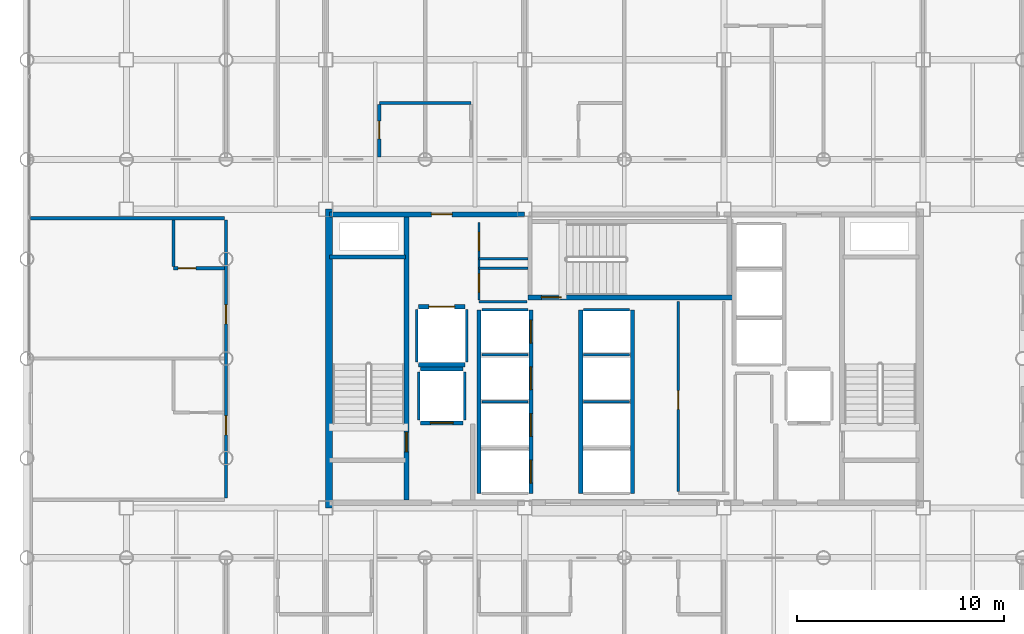
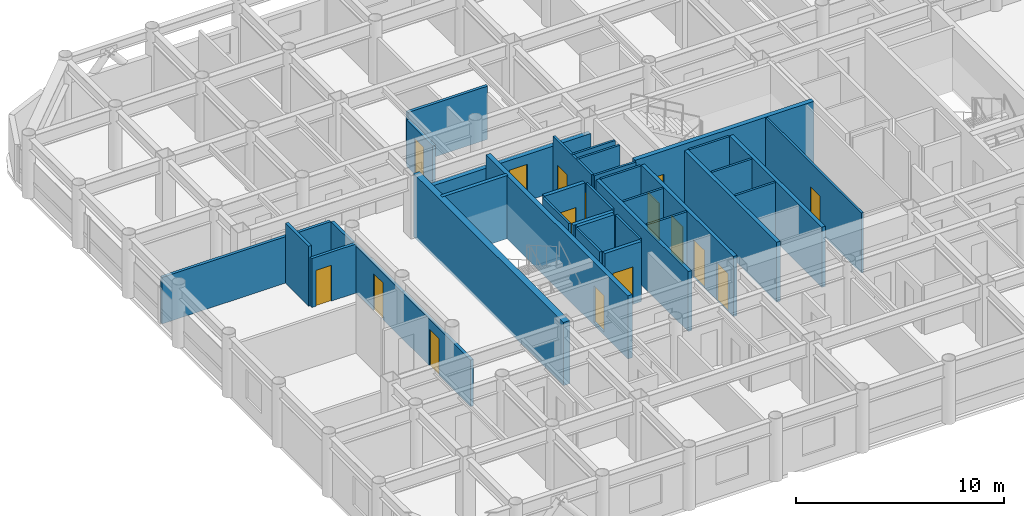
# One storey, part 18 of 22: 34 walls, 16 doors, 16 openings.
"""IFC4 building model written with IfcOpenShell, lengths in metres."""

from ifc_helpers import new_model, si_unit, direction, frame, frame_2d, origin, place, context, subcontext, project, spatial, rectangle, extrude, material, layer, layer_set, type_object, element, fill, save


model = new_model("IFC4")

# Units and contexts
model_context = context("Model", 3, precision=1e-05, world=origin(), true_north=direction((0.0, 1.0)))
body_context = subcontext(model_context, "Body", "Model", "MODEL_VIEW")
ifc_project = project(units=[si_unit("LENGTHUNIT", "METRE"), si_unit("AREAUNIT", "SQUARE_METRE"), si_unit("VOLUMEUNIT", "CUBIC_METRE"), si_unit("PLANEANGLEUNIT", "RADIAN"), si_unit("MASSUNIT", "GRAM", prefix="KILO")], contexts=[model_context])

# Site, building, storey
site_placement = place(None, origin())
site = spatial("IfcSite", under=ifc_project, at=site_placement, CompositionType="ELEMENT")
building_placement = place(site_placement, origin())
building = spatial("IfcBuilding", under=site, at=building_placement, Name="Kallvorn Hotel Tower", CompositionType="ELEMENT")
storey_placement = place(building_placement, frame((0.0, 0.0, 110.0)))
storey = spatial("IfcBuildingStorey", under=building, at=storey_placement, Name="L26", CompositionType="ELEMENT", Elevation=110.0)

# Wall
ifc_material_1 = material(Name="Concrete C50/60", Category="concrete")
ifc_layer_1 = layer(ifc_material_1, 0.35009765625)
ifc_layer_set_1 = layer_set([ifc_layer_1], Name="WL_CORE_350")
wall_type_1 = type_object("IfcWallType", Name="WL_CORE_350", PredefinedType="SHEAR", material=ifc_layer_set_1)
wall_1_placement = place(storey_placement, frame((-14.239990234375, -7.199951171875, -0.179931640625), z_axis=(0.0, 0.0, 1.0), x_axis=(0.0, 1.0, 0.0)))
element("IfcWall", 1, at=wall_1_placement, inside=storey, type_object=wall_type_1, Name="L26 Core West Shear Wall", PredefinedType="SHEAR", context=body_context, shape_type="SweptSolid", body=[
    extrude(rectangle(XDim=14.39990234375, YDim=0.35009765625, at=frame_2d((7.199951171875, 0.0))), origin(), (0.0, 0.0, 1.0), 3.699951171875),
])

# Wall, opening, door
ifc_material_2 = material(Name="Fire-rated double-layer acoustic gypsum drywall EI 60")
ifc_layer_2 = layer(ifc_material_2, 0.159912109375)
ifc_layer_set_2 = layer_set([ifc_layer_2], Name="WL_DEMISE_160")
wall_type_2 = type_object("IfcWallType", Name="WL_DEMISE_160", PredefinedType="PARTITIONING", material=ifc_layer_set_2)
wall_2_placement = place(storey_placement, frame((-21.72998046875, 4.35009765625, 0.0), z_axis=(0.0, 0.0, 1.0), x_axis=(1.0, 0.0, 0.0)))
wall_2 = element("IfcWall", 2, at=wall_2_placement, inside=storey, type_object=wall_type_2, Name="L26 Suite 2602 W Andean Twin Room Partition", PredefinedType="PARTITIONING", context=body_context, shape_type="SweptSolid", body=[
    extrude(rectangle(XDim=2.449951171875, YDim=0.159912109375, at=frame_2d((1.22509765625, 0.0))), origin(), (0.0, 0.0, 1.0), 2.8701171875),
])
opening_1_placement = place(wall_2_placement, frame((0.219970703125, 0.0, 0.0)))
opening_1 = element("IfcOpeningElement", 3, at=opening_1_placement, cuts=wall_2, Name="Opening BD-I", PredefinedType="OPENING", context=body_context, shape_type="SweptSolid", body=[
    extrude(rectangle(XDim=0.860107421875, YDim=2.10009765625, at=frame_2d((0.43017578125, 1.050048828125))), frame((0.0, 0.094970703125, 0.0), z_axis=(0.0, -1.0, 0.0), x_axis=(1.0, 0.0, 0.0)), (0.0, 0.0, 1.0), 0.18994140625),
])
ifc_material_3 = material(Name="Solid-core walnut veneer fire-rated timber door leaf", Category="wood")
door_type_1 = type_object("IfcDoorType", Name="DR_BATH_860x2100", OperationType="NOTDEFINED", PredefinedType="DOOR", material=ifc_material_3)
door_1_placement = place(opening_1_placement, origin())
door_1 = element("IfcDoor", 4, at=door_1_placement, inside=storey, type_object=door_type_1, Name="L26 Suite 2602 En-Suite Bathroom Door", OperationType="SINGLE_SWING_LEFT", OverallHeight=2.10009765625, OverallWidth=0.860107421875, PredefinedType="DOOR", context=body_context, shape_type="SweptSolid", body=[
    extrude(rectangle(XDim=0.860107421875, YDim=2.10009765625, at=frame_2d((0.43017578125, 1.050048828125))), frame((0.0, 0.02490234375, 0.0), z_axis=(0.0, -1.0, 0.0), x_axis=(1.0, 0.0, 0.0)), (0.0, 0.0, 1.0), 0.050048828125),
])
fill(opening_1, door_1)

# Walls
wall_3_placement = place(storey_placement, frame((-28.6298828125, 6.75830078125, 0.0), z_axis=(0.0, 0.0, 1.0), x_axis=(1.0, 0.0, 0.0)))
element("IfcWall", 5, at=wall_3_placement, inside=storey, type_object=wall_type_2, Name="L26 Suite 2602 W Andean Twin Room Partition", PredefinedType="PARTITIONING", context=body_context, shape_type="SweptSolid", body=[
    extrude(rectangle(XDim=9.349853515625, YDim=0.159912109375, at=frame_2d((4.6748046875, 0.0))), origin(), (0.0, 0.0, 1.0), 2.719970703125),
])
wall_4_placement = place(storey_placement, frame((-11.81005859375, 12.320068359375, 0.0), z_axis=(0.0, 0.0, 1.0), x_axis=(1.0, 0.0, 0.0)))
element("IfcWall", 6, at=wall_4_placement, inside=storey, type_object=wall_type_2, Name="L26 Suite 2611 Standard Twin Room Partition", PredefinedType="PARTITIONING", context=body_context, shape_type="SweptSolid", body=[
    extrude(rectangle(XDim=4.420166015625, YDim=0.159912109375, at=frame_2d((2.2099609375, 0.0))), origin(), (0.0, 0.0, 1.0), 3.1201171875),
])
wall_5_placement = place(storey_placement, frame((-21.72998046875, 4.43505859375, 0.0), z_axis=(0.0, 0.0, 1.0), x_axis=(0.0, 1.0, 0.0)))
element("IfcWall", 7, at=wall_5_placement, inside=storey, type_object=wall_type_2, Name="L26 Suite 2602 W Andean Twin Room Partition", PredefinedType="PARTITIONING", context=body_context, shape_type="SweptSolid", body=[
    extrude(rectangle(XDim=2.23828125, YDim=0.159912109375, at=frame_2d((1.119140625, 0.0))), origin(), (0.0, 0.0, 1.0), 3.52001953125),
])

# Wall, openings, doors
wall_6_placement = place(storey_placement, frame((-19.199951171875, -6.715087890625, 0.0), z_axis=(0.0, 0.0, 1.0), x_axis=(0.0, 1.0, 0.0)))
wall_6 = element("IfcWall", 8, at=wall_6_placement, inside=storey, type_object=wall_type_2, Name="L26 Suite 2601 W Loggia King Room Partition", PredefinedType="PARTITIONING", context=body_context, shape_type="SweptSolid", body=[
    extrude(rectangle(XDim=13.388427734375, YDim=0.159912109375, at=frame_2d((6.6943359375, 0.0))), origin(), (0.0, 0.0, 1.0), 2.719970703125),
])
opening_2_placement = place(wall_6_placement, frame((3.034912109375, 0.0, 0.0)))
opening_2 = element("IfcOpeningElement", 9, at=opening_2_placement, cuts=wall_6, Name="Opening GD1", PredefinedType="OPENING", context=body_context, shape_type="SweptSolid", body=[
    extrude(rectangle(XDim=0.919921875, YDim=2.14990234375, at=frame_2d((0.4599609375, 1.074951171875))), frame((0.0, 0.094970703125, 0.0), z_axis=(0.0, -1.0, 0.0), x_axis=(1.0, 0.0, 0.0)), (0.0, 0.0, 1.0), 0.18994140625),
])
opening_3_placement = place(wall_6_placement, frame((8.385009765625, 0.0, 0.0)))
opening_3 = element("IfcOpeningElement", 10, at=opening_3_placement, cuts=wall_6, Name="Opening GD1", PredefinedType="OPENING", context=body_context, shape_type="SweptSolid", body=[
    extrude(rectangle(XDim=0.919921875, YDim=2.14990234375, at=frame_2d((0.4599609375, 1.074951171875))), frame((0.0, 0.094970703125, 0.0), z_axis=(0.0, -1.0, 0.0), x_axis=(1.0, 0.0, 0.0)), (0.0, 0.0, 1.0), 0.18994140625),
])
ifc_material_4 = material(Name="Solid-core walnut veneer fire-rated timber door leaf", Category="wood")
door_type_2 = type_object("IfcDoorType", Name="DR_GUEST_920x2150", OperationType="NOTDEFINED", PredefinedType="DOOR", material=ifc_material_4)
door_2_placement = place(opening_2_placement, origin())
door_2 = element("IfcDoor", 11, at=door_2_placement, inside=storey, type_object=door_type_2, Name="L26 Suite 2601 W Loggia King Room Door", OperationType="SINGLE_SWING_RIGHT", OverallHeight=2.14990234375, OverallWidth=0.919921875, PredefinedType="DOOR", context=body_context, shape_type="SweptSolid", body=[
    extrude(rectangle(XDim=0.919921875, YDim=2.14990234375, at=frame_2d((0.4599609375, 1.074951171875))), frame((0.0, 0.02490234375, 0.0), z_axis=(0.0, -1.0, 0.0), x_axis=(1.0, 0.0, 0.0)), (0.0, 0.0, 1.0), 0.050048828125),
])
fill(opening_2, door_2)
door_3_placement = place(opening_3_placement, origin())
door_3 = element("IfcDoor", 12, at=door_3_placement, inside=storey, type_object=door_type_2, Name="L26 Suite 2602 W Andean Twin Room Door", OperationType="SINGLE_SWING_LEFT", OverallHeight=2.14990234375, OverallWidth=0.919921875, PredefinedType="DOOR", context=body_context, shape_type="SweptSolid", body=[
    extrude(rectangle(XDim=0.919921875, YDim=2.14990234375, at=frame_2d((0.4599609375, 1.074951171875))), frame((0.0, 0.02490234375, 0.0), z_axis=(0.0, -1.0, 0.0), x_axis=(1.0, 0.0, 0.0)), (0.0, 0.0, 1.0), 0.050048828125),
])
fill(opening_3, door_3)

# Wall, opening, door
wall_7_placement = place(storey_placement, frame((-11.81005859375, 9.719970703125, 0.0), z_axis=(0.0, 0.0, 1.0), x_axis=(0.0, 1.0, 0.0)))
wall_7 = element("IfcWall", 13, at=wall_7_placement, inside=storey, type_object=wall_type_2, Name="L26 Suite 2611 Standard Twin Room Partition", PredefinedType="PARTITIONING", context=body_context, shape_type="SweptSolid", body=[
    extrude(rectangle(XDim=2.51513671875, YDim=0.159912109375, at=frame_2d((1.257568359375, 0.0))), origin(), (0.0, 0.0, 1.0), 2.719970703125),
])
opening_4_placement = place(wall_7_placement, frame((0.8701171875, 0.0, 0.0)))
opening_4 = element("IfcOpeningElement", 14, at=opening_4_placement, cuts=wall_7, Name="Opening BD-I", PredefinedType="OPENING", context=body_context, shape_type="SweptSolid", body=[
    extrude(rectangle(XDim=0.860107421875, YDim=2.10009765625, at=frame_2d((0.43017578125, 1.050048828125))), frame((0.0, 0.094970703125, 0.0), z_axis=(0.0, -1.0, 0.0), x_axis=(1.0, 0.0, 0.0)), (0.0, 0.0, 1.0), 0.18994140625),
])
door_4_placement = place(opening_4_placement, origin())
door_4 = element("IfcDoor", 15, at=door_4_placement, inside=storey, type_object=door_type_1, Name="L26 Suite 2611 En-Suite Bathroom Door", OperationType="SINGLE_SWING_RIGHT", OverallHeight=2.10009765625, OverallWidth=0.860107421875, PredefinedType="DOOR", context=body_context, shape_type="SweptSolid", body=[
    extrude(rectangle(XDim=0.860107421875, YDim=2.10009765625, at=frame_2d((0.43017578125, 1.050048828125))), frame((0.0, 0.02490234375, 0.0), z_axis=(0.0, -1.0, 0.0), x_axis=(1.0, 0.0, 0.0)), (0.0, 0.0, 1.0), 0.050048828125),
])
fill(opening_4, door_4)

# Wall
ifc_material_5 = material(Name="Concrete C40/50", Category="concrete")
ifc_layer_3 = layer(ifc_material_5, 0.199951171875)
ifc_layer_set_3 = layer_set([ifc_layer_3], Name="WL_HOIST_200")
wall_type_3 = type_object("IfcWallType", Name="WL_HOIST_200", PredefinedType="SOLIDWALL", material=ifc_layer_set_3)
wall_8_placement = place(storey_placement, frame((-14.199951171875, 4.89990234375, -0.179931640625), z_axis=(0.0, 0.0, 1.0), x_axis=(1.0, 0.0, 0.0)))
element("IfcWall", 16, at=wall_8_placement, inside=storey, type_object=wall_type_3, Name="L26 Stair ST1 North Wall", PredefinedType="SOLIDWALL", context=body_context, shape_type="SweptSolid", body=[
    extrude(rectangle(XDim=3.64990234375, YDim=0.199951171875, at=frame_2d((1.824951171875, 0.0))), origin(), (0.0, 0.0, 1.0), 3.699951171875),
])

# Wall, openings, doors
wall_9_placement = place(storey_placement, frame((-4.5, -6.5, 0.0), z_axis=(0.0, 0.0, 1.0), x_axis=(0.0, 1.0, 0.0)))
wall_9 = element("IfcWall", 17, at=wall_9_placement, inside=storey, type_object=wall_type_3, Name="L26 Lift Bank B1 Landing Wall", PredefinedType="SOLIDWALL", context=body_context, shape_type="SweptSolid", body=[
    extrude(rectangle(XDim=8.85009765625, YDim=0.199951171875, at=frame_2d((4.425048828125, 0.0))), origin(), (0.0, 0.0, 1.0), 3.52001953125),
])
opening_5_placement = place(wall_9_placement, frame((0.5, 0.0, 0.0)))
opening_5 = element("IfcOpeningElement", 18, at=opening_5_placement, cuts=wall_9, Name="Opening LD-PL-01", PredefinedType="OPENING", context=body_context, shape_type="SweptSolid", body=[
    extrude(rectangle(XDim=1.10009765625, YDim=2.199951171875, at=frame_2d((0.550048828125, 1.10009765625))), frame((0.0, 0.114990234375, 0.0), z_axis=(0.0, -1.0, 0.0), x_axis=(1.0, 0.0, 0.0)), (0.0, 0.0, 1.0), 0.22998046875),
])
opening_6_placement = place(wall_9_placement, frame((2.75, 0.0, 0.0)))
opening_6 = element("IfcOpeningElement", 19, at=opening_6_placement, cuts=wall_9, Name="Opening LD-PL-02", PredefinedType="OPENING", context=body_context, shape_type="SweptSolid", body=[
    extrude(rectangle(XDim=1.10009765625, YDim=2.199951171875, at=frame_2d((0.550048828125, 1.10009765625))), frame((0.0, 0.114990234375, 0.0), z_axis=(0.0, -1.0, 0.0), x_axis=(1.0, 0.0, 0.0)), (0.0, 0.0, 1.0), 0.22998046875),
])
opening_7_placement = place(wall_9_placement, frame((5.0, 0.0, 0.0)))
opening_7 = element("IfcOpeningElement", 20, at=opening_7_placement, cuts=wall_9, Name="Opening LD-PL-03", PredefinedType="OPENING", context=body_context, shape_type="SweptSolid", body=[
    extrude(rectangle(XDim=1.10009765625, YDim=2.199951171875, at=frame_2d((0.550048828125, 1.10009765625))), frame((0.0, 0.114990234375, 0.0), z_axis=(0.0, -1.0, 0.0), x_axis=(1.0, 0.0, 0.0)), (0.0, 0.0, 1.0), 0.22998046875),
])
opening_8_placement = place(wall_9_placement, frame((7.25, 0.0, 0.0)))
opening_8 = element("IfcOpeningElement", 21, at=opening_8_placement, cuts=wall_9, Name="Opening LD-PL-04", PredefinedType="OPENING", context=body_context, shape_type="SweptSolid", body=[
    extrude(rectangle(XDim=1.10009765625, YDim=2.199951171875, at=frame_2d((0.550048828125, 1.10009765625))), frame((0.0, 0.114990234375, 0.0), z_axis=(0.0, -1.0, 0.0), x_axis=(1.0, 0.0, 0.0)), (0.0, 0.0, 1.0), 0.22998046875),
])
ifc_material_6 = material(Name="Brushed stainless-steel automatic sliding lift landing door", Category="steel")
door_type_3 = type_object("IfcDoorType", Name="LD_PASS_1100x2200", OperationType="SLIDING_TO_LEFT", PredefinedType="DOOR", material=ifc_material_6)
door_5_placement = place(opening_5_placement, origin())
door_5 = element("IfcDoor", 22, at=door_5_placement, inside=storey, type_object=door_type_3, Name="L26 Lift Landing Sliding Door LD-PL-01", OperationType="SLIDING_TO_LEFT", OverallHeight=2.199951171875, OverallWidth=1.10009765625, PredefinedType="DOOR", context=body_context, shape_type="SweptSolid", body=[
    extrude(rectangle(XDim=1.10009765625, YDim=2.199951171875, at=frame_2d((0.550048828125, 1.10009765625))), frame((0.0, 0.02490234375, 0.0), z_axis=(0.0, -1.0, 0.0), x_axis=(1.0, 0.0, 0.0)), (0.0, 0.0, 1.0), 0.050048828125),
])
fill(opening_5, door_5)
door_6_placement = place(opening_6_placement, origin())
door_6 = element("IfcDoor", 23, at=door_6_placement, inside=storey, type_object=door_type_3, Name="L26 Lift Landing Sliding Door LD-PL-02", OperationType="SLIDING_TO_LEFT", OverallHeight=2.199951171875, OverallWidth=1.10009765625, PredefinedType="DOOR", context=body_context, shape_type="SweptSolid", body=[
    extrude(rectangle(XDim=1.10009765625, YDim=2.199951171875, at=frame_2d((0.550048828125, 1.10009765625))), frame((0.0, 0.02490234375, 0.0), z_axis=(0.0, -1.0, 0.0), x_axis=(1.0, 0.0, 0.0)), (0.0, 0.0, 1.0), 0.050048828125),
])
fill(opening_6, door_6)
door_7_placement = place(opening_7_placement, origin())
door_7 = element("IfcDoor", 24, at=door_7_placement, inside=storey, type_object=door_type_3, Name="L26 Lift Landing Sliding Door LD-PL-03", OperationType="SLIDING_TO_LEFT", OverallHeight=2.199951171875, OverallWidth=1.10009765625, PredefinedType="DOOR", context=body_context, shape_type="SweptSolid", body=[
    extrude(rectangle(XDim=1.10009765625, YDim=2.199951171875, at=frame_2d((0.550048828125, 1.10009765625))), frame((0.0, 0.02490234375, 0.0), z_axis=(0.0, -1.0, 0.0), x_axis=(1.0, 0.0, 0.0)), (0.0, 0.0, 1.0), 0.050048828125),
])
fill(opening_7, door_7)
door_8_placement = place(opening_8_placement, origin())
door_8 = element("IfcDoor", 25, at=door_8_placement, inside=storey, type_object=door_type_3, Name="L26 Lift Landing Sliding Door LD-PL-04", OperationType="SLIDING_TO_LEFT", OverallHeight=2.199951171875, OverallWidth=1.10009765625, PredefinedType="DOOR", context=body_context, shape_type="SweptSolid", body=[
    extrude(rectangle(XDim=1.10009765625, YDim=2.199951171875, at=frame_2d((0.550048828125, 1.10009765625))), frame((0.0, 0.02490234375, 0.0), z_axis=(0.0, -1.0, 0.0), x_axis=(1.0, 0.0, 0.0)), (0.0, 0.0, 1.0), 0.050048828125),
])
fill(opening_8, door_8)

# Walls
for number, where, z_axis, x_axis, name in (
    (26, (-7.0, -6.5, 0.0), (0.0, 0.0, 1.0), (0.0, 1.0, 0.0), "L26 Lift Bank B1 Rear Shaft Wall"),
    (27, (-2.10009765625, -6.5, 0.0), (0.0, 0.0, 1.0), (0.0, 1.0, 0.0), "L26 Lift Bank B2 Landing Wall"),
    (28, (0.39990234375, -6.5, 0.0), (0.0, 0.0, 1.0), (0.0, 1.0, 0.0), "L26 Lift Bank B2 Rear Shaft Wall"),
):
    element("IfcWall", number, at=place(storey_placement, frame(where, z_axis=z_axis, x_axis=x_axis)), inside=storey, type_object=wall_type_3, Name=name, PredefinedType="SOLIDWALL", context=body_context, shape_type="SweptSolid", body=[
        extrude(rectangle(XDim=8.85009765625, YDim=0.199951171875, at=frame_2d((4.425048828125, 0.0))), origin(), (0.0, 0.0, 1.0), 3.52001953125),
    ])

# Wall, opening, door
wall_10_placement = place(storey_placement, frame((-9.820068359375, -3.10009765625, 0.0), z_axis=(0.0, 0.0, 1.0), x_axis=(1.0, 0.0, 0.0)))
wall_10 = element("IfcWall", 29, at=wall_10_placement, inside=storey, type_object=wall_type_3, Name="L26 FL-1 Landing Wall", PredefinedType="SOLIDWALL", context=body_context, shape_type="SweptSolid", body=[
    extrude(rectangle(XDim=2.0400390625, YDim=0.199951171875, at=frame_2d((1.02001953125, 0.0))), origin(), (0.0, 0.0, 1.0), 3.52001953125),
])
opening_9_placement = place(wall_10_placement, frame((0.469970703125, 0.0, 0.0)))
opening_9 = element("IfcOpeningElement", 30, at=opening_9_placement, cuts=wall_10, Name="Opening LD-FL-1", PredefinedType="OPENING", context=body_context, shape_type="SweptSolid", body=[
    extrude(rectangle(XDim=1.10009765625, YDim=2.199951171875, at=frame_2d((0.550048828125, 1.10009765625))), frame((0.0, 0.114990234375, 0.0), z_axis=(0.0, -1.0, 0.0), x_axis=(1.0, 0.0, 0.0)), (0.0, 0.0, 1.0), 0.22998046875),
])
door_9_placement = place(opening_9_placement, origin())
door_9 = element("IfcDoor", 31, at=door_9_placement, inside=storey, type_object=door_type_3, Name="L26 Lift Landing Sliding Door LD-FL-1", OperationType="SLIDING_TO_LEFT", OverallHeight=2.199951171875, OverallWidth=1.10009765625, PredefinedType="DOOR", context=body_context, shape_type="SweptSolid", body=[
    extrude(rectangle(XDim=1.10009765625, YDim=2.199951171875, at=frame_2d((0.550048828125, 1.10009765625))), frame((0.0, 0.02490234375, 0.0), z_axis=(0.0, -1.0, 0.0), x_axis=(1.0, 0.0, 0.0)), (0.0, 0.0, 1.0), 0.050048828125),
])
fill(opening_9, door_9)

# Wall
wall_11_placement = place(storey_placement, frame((-9.820068359375, -0.5, 0.0), z_axis=(0.0, 0.0, 1.0), x_axis=(1.0, 0.0, 0.0)))
element("IfcWall", 32, at=wall_11_placement, inside=storey, type_object=wall_type_3, Name="L26 FL-1 Rear Shaft Wall", PredefinedType="SOLIDWALL", context=body_context, shape_type="SweptSolid", body=[
    extrude(rectangle(XDim=2.0400390625, YDim=0.199951171875, at=frame_2d((1.02001953125, 0.0))), origin(), (0.0, 0.0, 1.0), 3.52001953125),
])

# Wall, opening, door
wall_12_placement = place(storey_placement, frame((-9.919921875, 2.5, 0.0), z_axis=(0.0, 0.0, 1.0), x_axis=(1.0, 0.0, 0.0)))
wall_12 = element("IfcWall", 33, at=wall_12_placement, inside=storey, type_object=wall_type_3, Name="L26 SV-01 Landing Wall", PredefinedType="SOLIDWALL", context=body_context, shape_type="SweptSolid", body=[
    extrude(rectangle(XDim=2.239990234375, YDim=0.199951171875, at=frame_2d((1.1201171875, 0.0))), origin(), (0.0, 0.0, 1.0), 3.52001953125),
])
opening_10_placement = place(wall_12_placement, frame((0.4951171875, 0.0, 0.0)))
opening_10 = element("IfcOpeningElement", 34, at=opening_10_placement, cuts=wall_12, Name="Opening LD-SV-01", PredefinedType="OPENING", context=body_context, shape_type="SweptSolid", body=[
    extrude(rectangle(XDim=1.25, YDim=2.25, at=frame_2d((0.625, 1.125))), frame((0.0, 0.114990234375, 0.0), z_axis=(0.0, -1.0, 0.0), x_axis=(1.0, 0.0, 0.0)), (0.0, 0.0, 1.0), 0.22998046875),
])
ifc_material_7 = material(Name="Brushed stainless-steel automatic sliding lift landing door", Category="steel")
door_type_4 = type_object("IfcDoorType", Name="LD_SERV_1250x2250", OperationType="SLIDING_TO_LEFT", PredefinedType="DOOR", material=ifc_material_7)
door_10_placement = place(opening_10_placement, origin())
door_10 = element("IfcDoor", 35, at=door_10_placement, inside=storey, type_object=door_type_4, Name="L26 Lift Landing Sliding Door LD-SV-01", OperationType="SLIDING_TO_LEFT", OverallHeight=2.25, OverallWidth=1.25, PredefinedType="DOOR", context=body_context, shape_type="SweptSolid", body=[
    extrude(rectangle(XDim=1.25, YDim=2.25, at=frame_2d((0.625, 1.125))), frame((0.0, 0.02490234375, 0.0), z_axis=(0.0, -1.0, 0.0), x_axis=(1.0, 0.0, 0.0)), (0.0, 0.0, 1.0), 0.050048828125),
])
fill(opening_10, door_10)

# Walls
wall_13_placement = place(storey_placement, frame((-9.919921875, -0.300048828125, 0.0), z_axis=(0.0, 0.0, 1.0), x_axis=(1.0, 0.0, 0.0)))
element("IfcWall", 36, at=wall_13_placement, inside=storey, type_object=wall_type_3, Name="L26 SV-01 Rear Shaft Wall", PredefinedType="SOLIDWALL", context=body_context, shape_type="SweptSolid", body=[
    extrude(rectangle(XDim=2.239990234375, YDim=0.199951171875, at=frame_2d((1.1201171875, 0.0))), origin(), (0.0, 0.0, 1.0), 3.52001953125),
])
ifc_material_8 = material(Name="Fire-rated double-layer acoustic gypsum drywall EI 60")
ifc_layer_4 = layer(ifc_material_8, 0.1201171875)
ifc_layer_set_4 = layer_set([ifc_layer_4], Name="WL_INT_120")
wall_type_4 = type_object("IfcWallType", Name="WL_INT_120", PredefinedType="PARTITIONING", material=ifc_layer_set_4)
for number, where, z_axis, x_axis, name in (
    (37, (-6.860107421875, -2.074951171875, 0.0), (0.0, 0.0, 1.0), (1.0, 0.0, 0.0), "L26 PL-02 Hoistway Divider"),
    (38, (-6.860107421875, 0.175048828125, 0.0), (0.0, 0.0, 1.0), (1.0, 0.0, 0.0), "L26 PL-03 Hoistway Divider"),
    (39, (-6.860107421875, 2.35009765625, 0.0), (0.0, 0.0, 1.0), (1.0, 0.0, 0.0), "L26 PL-04 Hoistway Divider"),
):
    element("IfcWall", number, at=place(storey_placement, frame(where, z_axis=z_axis, x_axis=x_axis)), inside=storey, type_object=wall_type_4, Name=name, PredefinedType="PARTITIONING", context=body_context, shape_type="SweptSolid", body=[
        extrude(rectangle(XDim=2.22021484375, YDim=0.1201171875, at=frame_2d((1.110107421875, 0.0))), origin(), (0.0, 0.0, 1.0), 3.52001953125),
    ])
for number, where, z_axis, x_axis, name in (
    (40, (-1.9599609375, -2.074951171875, 0.0), (0.0, 0.0, 1.0), (1.0, 0.0, 0.0), "L26 PL-06 Hoistway Divider"),
    (41, (-1.9599609375, 0.175048828125, 0.0), (0.0, 0.0, 1.0), (1.0, 0.0, 0.0), "L26 PL-07 Hoistway Divider"),
    (42, (-1.9599609375, 2.35009765625, 0.0), (0.0, 0.0, 1.0), (1.0, 0.0, 0.0), "L26 PL-08 Hoistway Divider"),
):
    element("IfcWall", number, at=place(storey_placement, frame(where, z_axis=z_axis, x_axis=x_axis)), inside=storey, type_object=wall_type_4, Name=name, PredefinedType="PARTITIONING", context=body_context, shape_type="SweptSolid", body=[
        extrude(rectangle(XDim=2.219970703125, YDim=0.1201171875, at=frame_2d((1.10986328125, 0.0))), origin(), (0.0, 0.0, 1.0), 3.52001953125),
    ])
for number, where, z_axis, x_axis, name in (
    (43, (-9.89990234375, -2.9599609375, 0.0), (0.0, 0.0, 1.0), (0.0, 1.0, 0.0), "L26 FL-1 West Shaft Wall"),
    (44, (-7.699951171875, -2.9599609375, 0.0), (0.0, 0.0, 1.0), (0.0, 1.0, 0.0), "L26 FL-1 East Shaft Wall"),
):
    element("IfcWall", number, at=place(storey_placement, frame(where, z_axis=z_axis, x_axis=x_axis)), inside=storey, type_object=wall_type_4, Name=name, PredefinedType="PARTITIONING", context=body_context, shape_type="SweptSolid", body=[
        extrude(rectangle(XDim=2.320068359375, YDim=0.1201171875, at=frame_2d((1.16015625, 0.0))), origin(), (0.0, 0.0, 1.0), 3.52001953125),
    ])
for number, where, z_axis, x_axis, name in (
    (45, (-10.0, -0.159912109375, 0.0), (0.0, 0.0, 1.0), (0.0, 1.0, 0.0), "L26 SV-01 West Shaft Wall"),
    (46, (-7.60009765625, -0.159912109375, 0.0), (0.0, 0.0, 1.0), (0.0, 1.0, 0.0), "L26 SV-01 East Shaft Wall"),
):
    element("IfcWall", number, at=place(storey_placement, frame(where, z_axis=z_axis, x_axis=x_axis)), inside=storey, type_object=wall_type_4, Name=name, PredefinedType="PARTITIONING", context=body_context, shape_type="SweptSolid", body=[
        extrude(rectangle(XDim=2.52001953125, YDim=0.1201171875, at=frame_2d((1.260009765625, 0.0))), origin(), (0.0, 0.0, 1.0), 3.52001953125),
    ])
wall_14_placement = place(storey_placement, frame((-7.0, 2.75, 0.0), z_axis=(0.0, 0.0, 1.0), x_axis=(1.0, 0.0, 0.0)))
element("IfcWall", 47, at=wall_14_placement, inside=storey, type_object=wall_type_4, Name="L26 Core Ice and Vending Pantry Partition", PredefinedType="PARTITIONING", context=body_context, shape_type="SweptSolid", body=[
    extrude(rectangle(XDim=2.31005859375, YDim=0.1201171875, at=frame_2d((1.155029296875, 0.0))), origin(), (0.0, 0.0, 1.0), 3.52001953125),
])
for number, where, z_axis, x_axis, name in (
    (48, (-7.0, 4.35009765625, 0.0), (0.0, 0.0, 1.0), (1.0, 0.0, 0.0), "L26 Core Ice and Vending Pantry Partition"),
    (49, (-7.0, 4.800048828125, 0.0), (0.0, 0.0, 1.0), (1.0, 0.0, 0.0), "L26 Core Linen Supply Closet Partition"),
):
    element("IfcWall", number, at=place(storey_placement, frame(where, z_axis=z_axis, x_axis=x_axis)), inside=storey, type_object=wall_type_4, Name=name, PredefinedType="PARTITIONING", context=body_context, shape_type="SweptSolid", body=[
        extrude(rectangle(XDim=2.35009765625, YDim=0.1201171875, at=frame_2d((1.175048828125, 0.0))), origin(), (0.0, 0.0, 1.0), 3.52001953125),
    ])

# Wall, openings, doors
wall_15_placement = place(storey_placement, frame((-7.0048828125, 2.8349609375, 0.0), z_axis=(0.0, 0.0, 1.0), x_axis=(0.0, 1.0, 0.0)))
wall_15 = element("IfcWall", 50, at=wall_15_placement, inside=storey, type_object=wall_type_4, Name="L26 Core Ice and Vending Pantry Partition", PredefinedType="PARTITIONING", context=body_context, shape_type="SweptSolid", body=[
    extrude(rectangle(XDim=3.715087890625, YDim=0.1201171875, at=frame_2d((1.857421875, 0.0))), origin(), (0.0, 0.0, 1.0), 3.52001953125),
])
opening_11_placement = place(wall_15_placement, frame((0.364990234375, 0.0, 0.0)))
opening_11 = element("IfcOpeningElement", 51, at=opening_11_placement, cuts=wall_15, Name="Opening SVD1", PredefinedType="OPENING", context=body_context, shape_type="SweptSolid", body=[
    extrude(rectangle(XDim=0.89990234375, YDim=2.10009765625, at=frame_2d((0.449951171875, 1.050048828125))), frame((0.0, 0.074951171875, 0.0), z_axis=(0.0, -1.0, 0.0), x_axis=(1.0, 0.0, 0.0)), (0.0, 0.0, 1.0), 0.150146484375),
])
opening_12_placement = place(wall_15_placement, frame((2.364990234375, 0.0, 0.0)))
opening_12 = element("IfcOpeningElement", 52, at=opening_12_placement, cuts=wall_15, Name="Opening SVD1", PredefinedType="OPENING", context=body_context, shape_type="SweptSolid", body=[
    extrude(rectangle(XDim=0.89990234375, YDim=2.10009765625, at=frame_2d((0.449951171875, 1.050048828125))), frame((0.0, 0.074951171875, 0.0), z_axis=(0.0, -1.0, 0.0), x_axis=(1.0, 0.0, 0.0)), (0.0, 0.0, 1.0), 0.150146484375),
])
ifc_material_9 = material(Name="Galvanised painted steel fire-rated door assembly", Category="steel")
door_type_5 = type_object("IfcDoorType", Name="DR_SERV_900x2100", OperationType="NOTDEFINED", PredefinedType="DOOR", material=ifc_material_9)
door_11_placement = place(opening_11_placement, origin())
door_11 = element("IfcDoor", 53, at=door_11_placement, inside=storey, type_object=door_type_5, Name="L26 Core Ice and Vending Pantry Door", OperationType="SINGLE_SWING_LEFT", OverallHeight=2.10009765625, OverallWidth=0.89990234375, PredefinedType="DOOR", context=body_context, shape_type="SweptSolid", body=[
    extrude(rectangle(XDim=0.89990234375, YDim=2.10009765625, at=frame_2d((0.449951171875, 1.050048828125))), frame((0.0, 0.02490234375, 0.0), z_axis=(0.0, -1.0, 0.0), x_axis=(1.0, 0.0, 0.0)), (0.0, 0.0, 1.0), 0.050048828125),
])
fill(opening_11, door_11)
door_12_placement = place(opening_12_placement, origin())
door_12 = element("IfcDoor", 54, at=door_12_placement, inside=storey, type_object=door_type_5, Name="L26 Core Linen Supply Closet Door", OperationType="SINGLE_SWING_LEFT", OverallHeight=2.10009765625, OverallWidth=0.89990234375, PredefinedType="DOOR", context=body_context, shape_type="SweptSolid", body=[
    extrude(rectangle(XDim=0.89990234375, YDim=2.10009765625, at=frame_2d((0.449951171875, 1.050048828125))), frame((0.0, 0.02490234375, 0.0), z_axis=(0.0, -1.0, 0.0), x_axis=(1.0, 0.0, 0.0)), (0.0, 0.0, 1.0), 0.050048828125),
])
fill(opening_12, door_12)

# Wall, opening, door
wall_16_placement = place(storey_placement, frame((2.59326171875, -6.4150390625, 0.0), z_axis=(0.0, 0.0, 1.0), x_axis=(0.0, 1.0, 0.0)))
wall_16 = element("IfcWall", 55, at=wall_16_placement, inside=storey, type_object=wall_type_4, Name="L26 East Core Consolidated Linen and Supply Store Partition", PredefinedType="PARTITIONING", context=body_context, shape_type="SweptSolid", body=[
    extrude(rectangle(XDim=9.1650390625, YDim=0.1201171875, at=frame_2d((4.58251953125, 0.0))), origin(), (0.0, 0.0, 1.0), 3.52001953125),
])
opening_13_placement = place(wall_16_placement, frame((3.965087890625, 0.0, 0.0)))
opening_13 = element("IfcOpeningElement", 56, at=opening_13_placement, cuts=wall_16, Name="Opening SVD1", PredefinedType="OPENING", context=body_context, shape_type="SweptSolid", body=[
    extrude(rectangle(XDim=0.89990234375, YDim=2.10009765625, at=frame_2d((0.449951171875, 1.050048828125))), frame((0.0, 0.074951171875, 0.0), z_axis=(0.0, -1.0, 0.0), x_axis=(1.0, 0.0, 0.0)), (0.0, 0.0, 1.0), 0.150146484375),
])
door_13_placement = place(opening_13_placement, origin())
door_13 = element("IfcDoor", 57, at=door_13_placement, inside=storey, type_object=door_type_5, Name="L26 East Core Consolidated Linen and Supply Store Door", OperationType="SINGLE_SWING_RIGHT", OverallHeight=2.10009765625, OverallWidth=0.89990234375, PredefinedType="DOOR", context=body_context, shape_type="SweptSolid", body=[
    extrude(rectangle(XDim=0.89990234375, YDim=2.10009765625, at=frame_2d((0.449951171875, 1.050048828125))), frame((0.0, 0.02490234375, 0.0), z_axis=(0.0, -1.0, 0.0), x_axis=(1.0, 0.0, 0.0)), (0.0, 0.0, 1.0), 0.050048828125),
])
fill(opening_13, door_13)

ifc_material_10 = material(Name="Concrete C40/50", Category="concrete")
ifc_layer_5 = layer(ifc_material_10, 0.25)
ifc_layer_set_5 = layer_set([ifc_layer_5], Name="WL_SHAFT_250")
wall_type_5 = type_object("IfcWallType", Name="WL_SHAFT_250", PredefinedType="SOLIDWALL", material=ifc_layer_set_5)
wall_17_placement = place(storey_placement, frame((-14.199951171875, 6.949951171875, 0.0), z_axis=(0.0, 0.0, 1.0), x_axis=(1.0, 0.0, 0.0)))
wall_17 = element("IfcWall", 58, at=wall_17_placement, inside=storey, type_object=wall_type_5, Name="L26 Core North-West Wall", PredefinedType="SOLIDWALL", context=body_context, shape_type="SweptSolid", body=[
    extrude(rectangle(XDim=9.39990234375, YDim=0.25, at=frame_2d((4.699951171875, 0.0))), origin(), (0.0, 0.0, 1.0), 2.719970703125),
])
opening_14_placement = place(wall_17_placement, frame((4.89990234375, 0.0, 0.0)))
opening_14 = element("IfcOpeningElement", 59, at=opening_14_placement, cuts=wall_17, Name="Opening FD1", PredefinedType="OPENING", context=body_context, shape_type="SweptSolid", body=[
    extrude(rectangle(XDim=1.0, YDim=2.14990234375, at=frame_2d((0.5, 1.074951171875))), frame((0.0, 0.139892578125, 0.0), z_axis=(0.0, -1.0, 0.0), x_axis=(1.0, 0.0, 0.0)), (0.0, 0.0, 1.0), 0.280029296875),
])
ifc_material_11 = material(Name="Galvanised painted steel fire-rated door assembly", Category="steel")
door_type_6 = type_object("IfcDoorType", Name="DR_FFL_1000x2150", OperationType="NOTDEFINED", PredefinedType="DOOR", material=ifc_material_11)
door_14_placement = place(opening_14_placement, origin())
door_14 = element("IfcDoor", 60, at=door_14_placement, inside=storey, type_object=door_type_6, Name="L26 Service Lift Lobby Door", OperationType="SINGLE_SWING_RIGHT", OverallHeight=2.14990234375, OverallWidth=1.0, PredefinedType="DOOR", context=body_context, shape_type="SweptSolid", body=[
    extrude(rectangle(XDim=1.0, YDim=2.14990234375, at=frame_2d((0.5, 1.074951171875))), frame((0.0, 0.02490234375, 0.0), z_axis=(0.0, -1.0, 0.0), x_axis=(1.0, 0.0, 0.0)), (0.0, 0.0, 1.0), 0.050048828125),
])
fill(opening_14, door_14)

wall_18_placement = place(storey_placement, frame((-10.5, -6.820068359375, -0.179931640625), z_axis=(0.0, 0.0, 1.0), x_axis=(0.0, 1.0, 0.0)))
wall_18 = element("IfcWall", 61, at=wall_18_placement, inside=storey, type_object=wall_type_5, Name="L26 Stair ST1 Shaft Wall", PredefinedType="SOLIDWALL", context=body_context, shape_type="SweptSolid", body=[
    extrude(rectangle(XDim=13.64013671875, YDim=0.25, at=frame_2d((6.820068359375, 0.0))), origin(), (0.0, 0.0, 1.0), 3.699951171875),
])
opening_15_placement = place(wall_18_placement, frame((2.320068359375, 0.0, 0.179931640625)))
opening_15 = element("IfcOpeningElement", 62, at=opening_15_placement, cuts=wall_18, Name="Opening SD1", PredefinedType="OPENING", context=body_context, shape_type="SweptSolid", body=[
    extrude(rectangle(XDim=0.949951171875, YDim=2.14990234375, at=frame_2d((0.47509765625, 1.074951171875))), frame((0.0, 0.139892578125, 0.0), z_axis=(0.0, -1.0, 0.0), x_axis=(1.0, 0.0, 0.0)), (0.0, 0.0, 1.0), 0.280029296875),
])
ifc_material_12 = material(Name="Galvanised painted steel fire-rated door assembly", Category="steel")
door_type_7 = type_object("IfcDoorType", Name="DR_STAIR_950x2150", OperationType="NOTDEFINED", PredefinedType="DOOR", material=ifc_material_12)
door_15_placement = place(opening_15_placement, origin())
door_15 = element("IfcDoor", 63, at=door_15_placement, inside=storey, type_object=door_type_7, Name="L26 Exit Stair ST1 Fire Door", OperationType="SINGLE_SWING_LEFT", OverallHeight=2.14990234375, OverallWidth=0.949951171875, PredefinedType="DOOR", context=body_context, shape_type="SweptSolid", body=[
    extrude(rectangle(XDim=0.949951171875, YDim=2.14990234375, at=frame_2d((0.47509765625, 1.074951171875))), frame((0.0, 0.02490234375, 0.0), z_axis=(0.0, -1.0, 0.0), x_axis=(1.0, 0.0, 0.0)), (0.0, 0.0, 1.0), 0.050048828125),
])
fill(opening_15, door_15)

wall_19_placement = place(storey_placement, frame((-4.64990234375, 2.949951171875, -0.179931640625), z_axis=(0.0, 0.0, 1.0), x_axis=(1.0, 0.0, 0.0)))
wall_19 = element("IfcWall", 64, at=wall_19_placement, inside=storey, type_object=wall_type_5, Name="L26 Stair ST3 Shaft South Wall", PredefinedType="SOLIDWALL", context=body_context, shape_type="SweptSolid", body=[
    extrude(rectangle(XDim=9.89990234375, YDim=0.25, at=frame_2d((4.949951171875, 0.0))), origin(), (0.0, 0.0, 1.0), 3.699951171875),
])
opening_16_placement = place(wall_19_placement, frame((0.64990234375, 0.0, 0.179931640625)))
opening_16 = element("IfcOpeningElement", 65, at=opening_16_placement, cuts=wall_19, Name="Opening SD1", PredefinedType="OPENING", context=body_context, shape_type="SweptSolid", body=[
    extrude(rectangle(XDim=0.949951171875, YDim=2.14990234375, at=frame_2d((0.47509765625, 1.074951171875))), frame((0.0, 0.139892578125, 0.0), z_axis=(0.0, -1.0, 0.0), x_axis=(1.0, 0.0, 0.0)), (0.0, 0.0, 1.0), 0.280029296875),
])
door_16_placement = place(opening_16_placement, origin())
door_16 = element("IfcDoor", 66, at=door_16_placement, inside=storey, type_object=door_type_7, Name="L26 Exit Stair ST3 Fire Door", OperationType="SINGLE_SWING_RIGHT", OverallHeight=2.14990234375, OverallWidth=0.949951171875, PredefinedType="DOOR", context=body_context, shape_type="SweptSolid", body=[
    extrude(rectangle(XDim=0.949951171875, YDim=2.14990234375, at=frame_2d((0.47509765625, 1.074951171875))), frame((0.0, 0.02490234375, 0.0), z_axis=(0.0, -1.0, 0.0), x_axis=(1.0, 0.0, 0.0)), (0.0, 0.0, 1.0), 0.050048828125),
])
fill(opening_16, door_16)

save(model, "model.ifc")
